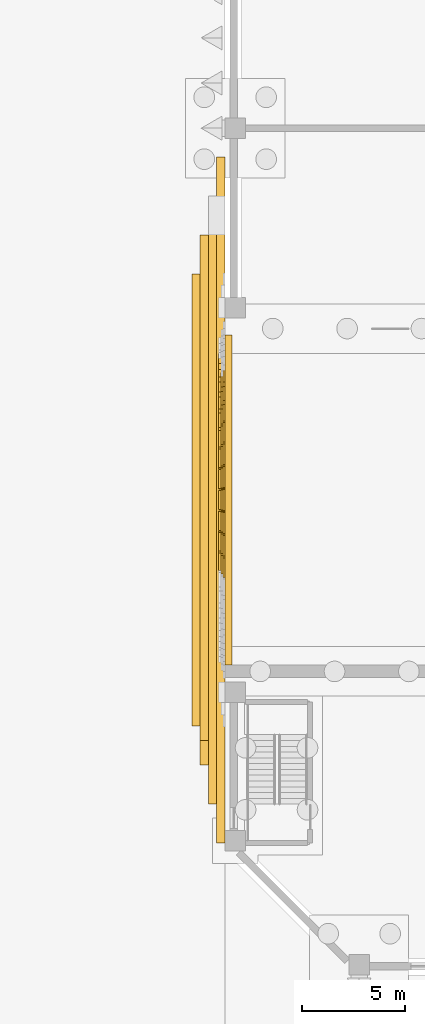
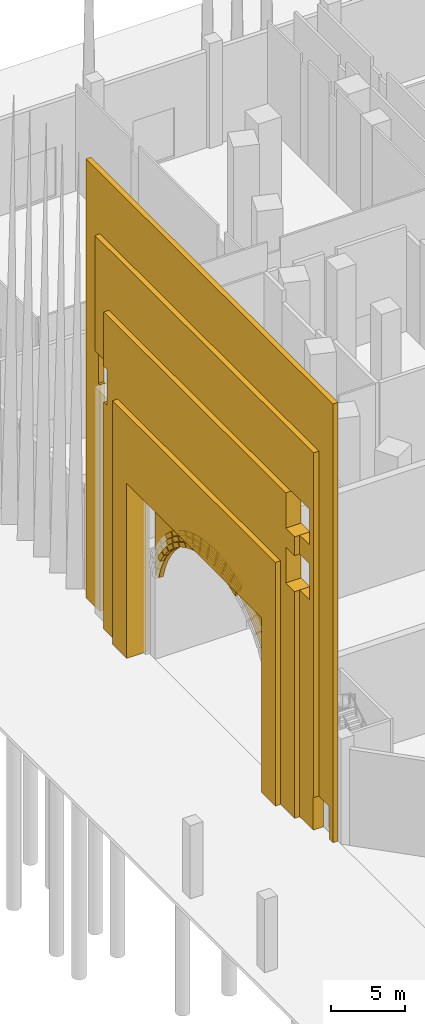
# One storey, part 21 of 32: 37 coverings.
"""IFC4 building model written with IfcOpenShell, lengths in metres."""

from ifc_helpers import new_model, si_unit, direction, frame, origin, place, context, subcontext, project, spatial, polyline, outline, extrude, material, layer, layer_set, type_object, element, save


model = new_model("IFC4")

# Units and contexts
model_context = context("Model", 3, precision=1e-05, world=origin(), true_north=direction((0.0, 1.0)))
body_context = subcontext(model_context, "Body", "Model", "MODEL_VIEW")
ifc_project = project(units=[si_unit("LENGTHUNIT", "METRE"), si_unit("AREAUNIT", "SQUARE_METRE"), si_unit("VOLUMEUNIT", "CUBIC_METRE"), si_unit("PLANEANGLEUNIT", "RADIAN"), si_unit("MASSUNIT", "GRAM", prefix="KILO")], contexts=[model_context])

# Site, building, storey
site_placement = place(None, origin())
site = spatial("IfcSite", under=ifc_project, at=site_placement, CompositionType="ELEMENT")
building_placement = place(site_placement, origin())
building = spatial("IfcBuilding", under=site, at=building_placement, Name="Isthmus Gate Tower", CompositionType="ELEMENT")
storey_placement = place(building_placement, origin())
storey = spatial("IfcBuildingStorey", under=building, at=storey_placement, Name="L00", CompositionType="ELEMENT", Elevation=0.0)

# Coverings
ifc_material_1 = material(Name="Precast concrete C50/60, limestone-faced", Category="masonry")
covering_type_1 = type_object("IfcCoveringType", Name="ARCHIVOLT BAND 350 X 100", PredefinedType="CLADDING", material=ifc_material_1)
covering_1_placement = place(storey_placement, frame((-52.10009765625, -21.743408203125, 13.146484375), z_axis=(-1.0, 0.0, 0.0), x_axis=(0.0, 0.913533755754, 0.40676292493)))
element("IfcCovering", 1, at=covering_1_placement, inside=storey, type_object=covering_type_1, Name="ARCHIVOLT BAND", PredefinedType="CLADDING", context=body_context, shape_type="SweptSolid", body=[
    extrude(outline(polyline([(0.0, 0.0), (0.25388617803024627, 0.0), (0.507990456610219, 0.0073128245677378245), (0.7615444362789336, 0.021863582341143828), (1.0146474243911097, 0.04342924261812953), (0.9798539305578422, 0.3916623377841222), (0.7368394427931839, 0.3708472345119539), (0.49292790206781023, 0.35684841903392667), (0.2490114311900746, 0.3500631207689179), (0.004743276110519612, 0.3500696943054005), (0.0, 0.0)])), origin(), (0.0, 0.0, -1.0), 0.10009765625),
])
covering_2_placement = place(storey_placement, frame((-52.10009765625, -20.70166015625, 13.551025390625), z_axis=(-1.0, 0.0, 0.0), x_axis=(0.0, 0.95724237853, 0.289287104355)))
element("IfcCovering", 2, at=covering_2_placement, inside=storey, type_object=covering_type_1, Name="ARCHIVOLT BAND", PredefinedType="CLADDING", context=body_context, shape_type="SweptSolid", body=[
    extrude(outline(polyline([(0.0, 0.0), (0.25402559263349644, 0.0), (0.5078726239881712, 0.007342364700247073), (0.7616117207984859, 0.021793392348170376), (1.0147048528248372, 0.04344553122741737), (0.9798347211468232, 0.3917568758059789), (0.7367252998334596, 0.370826490532061), (0.49304054047059426, 0.35686351473689604), (0.2490141448107981, 0.3499385751549457), (0.004950441341103562, 0.3498885967681007), (0.0, 0.0)])), origin(), (0.0, 0.0, -1.0), 0.10009765625),
])
covering_3_placement = place(storey_placement, frame((-52.10009765625, -19.617431640625, 13.822021484375), z_axis=(-1.0, 0.0, 0.0), x_axis=(0.0, 0.985922452448, 0.16720322293)))
element("IfcCovering", 3, at=covering_3_placement, inside=storey, type_object=covering_type_1, Name="ARCHIVOLT BAND", PredefinedType="CLADDING", context=body_context, shape_type="SweptSolid", body=[
    extrude(outline(polyline([(0.0, 0.0), (0.25406489184615577, 0.0), (0.5079087867061856, 0.007143692385918721), (0.7617723883038318, 0.021471898257104244), (1.0148927643685193, 0.043102858039254566), (0.9800667361281222, 0.39155035445057995), (0.7367377934105186, 0.37058942374738474), (0.4931878537067889, 0.35677218543010825), (0.2492170343925392, 0.3498171146756601), (0.0050660391915116135, 0.3497650325833884), (0.0, 0.0)])), origin(), (0.0, 0.0, -1.0), 0.10009765625),
])
covering_4_placement = place(storey_placement, frame((-52.10009765625, -18.5078125, 13.95556640625), z_axis=(-1.0, 0.0, 0.0), x_axis=(0.0, 0.999104510294, 0.042310489368)))
element("IfcCovering", 4, at=covering_4_placement, inside=storey, type_object=covering_type_1, Name="ARCHIVOLT BAND", PredefinedType="CLADDING", context=body_context, shape_type="SweptSolid", body=[
    extrude(outline(polyline([(0.0, 0.0), (0.2538894647772129, 0.0), (0.5079672119833631, 0.0070943974065567055), (0.7617350679099657, 0.021506454800617057), (1.0147155182671717, 0.04297159076396107), (0.980176022266482, 0.3911872657131058), (0.7369317924739776, 0.3706231621216591), (0.49316473853029674, 0.35663462280964736), (0.24908779330706812, 0.3499637434851393), (0.004975867931829955, 0.3498890878587028), (0.0, 0.0)])), origin(), (0.0, 0.0, -1.0), 0.10009765625),
])
covering_5_placement = place(storey_placement, frame((-52.10009765625, -17.390380859375, 13.94921875), z_axis=(-1.0, 0.0, 0.0), x_axis=(0.0, 0.996578817559, -0.082647809364)))
element("IfcCovering", 5, at=covering_5_placement, inside=storey, type_object=covering_type_1, Name="ARCHIVOLT BAND", PredefinedType="CLADDING", context=body_context, shape_type="SweptSolid", body=[
    extrude(outline(polyline([(0.0, 0.0), (0.25404295542334143, 0.0), (0.5082046307309092, 0.007339516637084653), (0.7617349321087281, 0.021835777599372094), (1.0148771649321793, 0.04346860519902937), (0.9800481294897949, 0.3915320779468916), (0.7367793554963993, 0.37079528046158206), (0.49310233526080277, 0.35695174423826176), (0.2492603741583861, 0.3499812915890978), (0.005030344501601398, 0.3501474055773036), (0.0, 0.0)])), origin(), (0.0, 0.0, -1.0), 0.10009765625),
])
covering_6_placement = place(storey_placement, frame((-52.10009765625, -16.2822265625, 13.802978515625), z_axis=(-1.0, 0.0, 0.0), x_axis=(0.0, 0.978417014532, -0.206640135682)))
element("IfcCovering", 6, at=covering_6_placement, inside=storey, type_object=covering_type_1, Name="ARCHIVOLT BAND", PredefinedType="CLADDING", context=body_context, shape_type="SweptSolid", body=[
    extrude(outline(polyline([(0.0, 0.0), (0.25401761473754997, 6.938893903907228e-18), (0.5080650297308589, 0.007229964412967346), (0.7616140530451745, 0.02155192040121462), (1.0147151339323723, 0.04320473930618024), (0.979958649810032, 0.39139796702503715), (0.7367789422614388, 0.3706440833941882), (0.49305039378197685, 0.3567433199971805), (0.2490623249649599, 0.3498840989235773), (0.005053607151826484, 0.35001597092150305), (0.0, 0.0)])), origin(), (0.0, 0.0, -1.0), 0.10009765625),
])
covering_7_placement = place(storey_placement, frame((-52.10009765625, -15.201171875, 13.51953125), z_axis=(-1.0, 0.0, 0.0), x_axis=(0.0, 0.944768759097, -0.32773768754)))
element("IfcCovering", 7, at=covering_7_placement, inside=storey, type_object=covering_type_1, Name="ARCHIVOLT BAND", PredefinedType="CLADDING", context=body_context, shape_type="SweptSolid", body=[
    extrude(outline(polyline([(0.0, 0.0), (0.25402007852627445, -1.3877787807814457e-17), (0.5078939729638323, 0.0070278645925348215), (0.7617016973965458, 0.02131425021293093), (1.0146712684345636, 0.04286854267747836), (0.9802250880049048, 0.39127168587963795), (0.7368393739805926, 0.37052738936091645), (0.4932274617836918, 0.35658030099940335), (0.24900805262742148, 0.3498211053981694), (0.005103772253087557, 0.349929746221726), (0.0, 0.0)])), origin(), (0.0, 0.0, -1.0), 0.10009765625),
])
covering_8_placement = place(storey_placement, frame((-52.10009765625, -14.164306640625, 13.10302734375), z_axis=(-1.0, 0.0, 0.0), x_axis=(0.0, 0.896531205027, -0.442980584692)))
element("IfcCovering", 8, at=covering_8_placement, inside=storey, type_object=covering_type_1, Name="ARCHIVOLT BAND", PredefinedType="CLADDING", context=body_context, shape_type="SweptSolid", body=[
    extrude(outline(polyline([(0.0, 0.0), (0.2540716952716217, 1.3877787807814457e-17), (0.5081098430668362, 0.00709681614542973), (0.761676684008189, 0.021506747549908112), (1.0149910977844074, 0.0431216446566256), (0.9801523954320589, 0.391473009324069), (0.7369887911430177, 0.37056120163548145), (0.49324573044330544, 0.3567436295172155), (0.24914209302164933, 0.34991214341246146), (0.005115638255503624, 0.3498504442076006), (0.0, 0.0)])), origin(), (0.0, 0.0, -1.0), 0.10009765625),
])
covering_9_placement = place(storey_placement, frame((-52.10009765625, -13.187255859375, 12.56005859375), z_axis=(-1.0, 0.0, 0.0), x_axis=(0.0, 0.834114264555, -0.551591691077)))
element("IfcCovering", 9, at=covering_9_placement, inside=storey, type_object=covering_type_1, Name="ARCHIVOLT BAND", PredefinedType="CLADDING", context=body_context, shape_type="SweptSolid", body=[
    extrude(outline(polyline([(0.0, 0.0), (0.2540587920684315, 0.0), (0.5078876666779776, 0.007176709252353225), (0.7616212897688425, 0.021733768934929676), (1.0146520223425433, 0.04319492145432374), (0.9799016406995696, 0.39165125307087056), (0.7366194083826123, 0.37076817873381707), (0.4929725926665651, 0.35685817247124685), (0.2489611935514282, 0.3499212342831599), (0.004923518155275752, 0.35002633940722183), (0.0, 0.0)])), origin(), (0.0, 0.0, -1.0), 0.10009765625),
])
covering_10_placement = place(storey_placement, frame((-52.10009765625, -12.2861328125, 11.8994140625), z_axis=(-1.0, 0.0, 0.0), x_axis=(0.0, 0.758849624726, -0.651265880461)))
element("IfcCovering", 10, at=covering_10_placement, inside=storey, type_object=covering_type_1, Name="ARCHIVOLT BAND", PredefinedType="CLADDING", context=body_context, shape_type="SweptSolid", body=[
    extrude(outline(polyline([(0.0, 0.0), (0.25416246838046713, 0.0), (0.5082766268869313, 0.007441127680157866), (0.7616802081204401, 0.021926585434585644), (1.0148764790208489, 0.0436679048475096), (0.9799808030420436, 0.3921237428352215), (0.7367682600836354, 0.3711441247366736), (0.49303040587393343, 0.35704983625329867), (0.24892624087203458, 0.3500261434067582), (0.004985297580359177, 0.34994031130052), (0.0, 0.0)])), origin(), (0.0, 0.0, -1.0), 0.10009765625),
])
ifc_material_2 = material(Name="Precast concrete C50/60, limestone-faced", Category="masonry")
covering_type_2 = type_object("IfcCoveringType", Name="ARCHIVOLT BAND 350 X 200", PredefinedType="CLADDING", material=ifc_material_2)
covering_11_placement = place(storey_placement, frame((-52.199951171875, -21.57763671875, 12.79345703125), z_axis=(-1.0, 0.0, 0.0), x_axis=(0.0, 0.913894814233, 0.405951066654)))
element("IfcCovering", 11, at=covering_11_placement, inside=storey, type_object=covering_type_2, Name="ARCHIVOLT BAND", PredefinedType="CLADDING", context=body_context, shape_type="SweptSolid", body=[
    extrude(outline(polyline([(0.0, 0.0), (0.24176443742090467, 0.0), (0.48350545352594476, 0.0066681718967348536), (0.7249008203168568, 0.020128525394203456), (0.9658514286465084, 0.040604179343536995), (0.9313673624084746, 0.38886805194261065), (0.700406808185659, 0.36935710966673163), (0.4687534760935853, 0.3562170118461906), (0.2369776135385146, 0.34996820477351553), (0.005054319963580495, 0.3500653415993119), (0.0, 0.0)])), origin(), (0.0, 0.0, -1.0), 0.199951171875),
])
covering_12_placement = place(storey_placement, frame((-52.199951171875, -20.581298828125, 13.179931640625), z_axis=(-1.0, 0.0, 0.0), x_axis=(0.0, 0.957100791727, 0.289755197495)))
element("IfcCovering", 12, at=covering_12_placement, inside=storey, type_object=covering_type_2, Name="ARCHIVOLT BAND", PredefinedType="CLADDING", context=body_context, shape_type="SweptSolid", body=[
    extrude(outline(polyline([(0.0, 0.0), (0.24181916314412888, 0.0), (0.4835269153517207, 0.007108609313554309), (0.7249603304523089, 0.021021419740169217), (0.9658857412604133, 0.04166769026483119), (0.9308452763289224, 0.3899619403792314), (0.6999032220751485, 0.37004230578578856), (0.4684531635288908, 0.35685613129039273), (0.23656584170516273, 0.35016974970756376), (0.004779331989938226, 0.3498909758818484), (0.0, 0.0)])), origin(), (0.0, 0.0, -1.0), 0.199951171875),
])
covering_13_placement = place(storey_placement, frame((-52.199951171875, -19.54443359375, 13.43896484375), z_axis=(-1.0, 0.0, 0.0), x_axis=(0.0, 0.985842492245, 0.167674030443)))
element("IfcCovering", 13, at=covering_13_placement, inside=storey, type_object=covering_type_2, Name="ARCHIVOLT BAND", PredefinedType="CLADDING", context=body_context, shape_type="SweptSolid", body=[
    extrude(outline(polyline([(0.0, 0.0), (0.24170316442486464, 6.938893903907228e-18), (0.4834226046256983, 0.0071845220769794355), (0.7249995084854702, 0.021031261783933358), (0.9659115715571752, 0.04169903123789251), (0.9309600824717613, 0.3898891725692222), (0.6997981956161479, 0.37013679221218576), (0.4682940242598531, 0.356765009240327), (0.23664731656249657, 0.3500554438984428), (0.004617388321870079, 0.3499671601439443), (0.0, 0.0)])), origin(), (0.0, 0.0, -1.0), 0.199951171875),
])
covering_14_placement = place(storey_placement, frame((-52.199951171875, -18.4833984375, 13.56640625), z_axis=(-1.0, 0.0, 0.0), x_axis=(0.0, 0.99910130476, 0.04238611596)))
element("IfcCovering", 14, at=covering_14_placement, inside=storey, type_object=covering_type_2, Name="ARCHIVOLT BAND", PredefinedType="CLADDING", context=body_context, shape_type="SweptSolid", body=[
    extrude(outline(polyline([(0.0, 0.0), (0.2419166280720367, 1.734723475976807e-18), (0.48354350730450635, 0.006829794075510315), (0.7248806376974087, 0.02048938222653094), (0.9659280192507442, 0.04097876445306188), (0.9313518171658718, 0.3894357451718416), (0.7002948573359776, 0.36961455924880215), (0.46870422744953394, 0.35661281922843135), (0.23684454506920644, 0.3499530308496058), (0.004939035066294362, 0.35013338471913225), (0.0, 0.0)])), origin(), (0.0, 0.0, -1.0), 0.199951171875),
])
covering_15_placement = place(storey_placement, frame((-52.199951171875, -17.414794921875, 13.559814453125), z_axis=(-1.0, 0.0, 0.0), x_axis=(0.0, 0.996566616907, -0.08279479492)))
element("IfcCovering", 15, at=covering_15_placement, inside=storey, type_object=covering_type_2, Name="ARCHIVOLT BAND", PredefinedType="CLADDING", context=body_context, shape_type="SweptSolid", body=[
    extrude(outline(polyline([(0.0, 0.0), (0.24179697853295692, 0.0), (0.48367333231590304, 0.006852894253722069), (0.7251222429824479, 0.020355807510417538), (0.9659408352818429, 0.04101555813647677), (0.9314266524348505, 0.3893072528932373), (0.7002383486178354, 0.36956228969795374), (0.46886590408112494, 0.35644713193266486), (0.23706601642801328, 0.3499819931703495), (0.005061774482227662, 0.34990335744132295), (0.0, 0.0)])), origin(), (0.0, 0.0, -1.0), 0.199951171875),
])
covering_16_placement = place(storey_placement, frame((-52.199951171875, -16.355224609375, 13.419921875), z_axis=(-1.0, 0.0, 0.0), x_axis=(0.0, 0.978345771582, -0.206977175619)))
element("IfcCovering", 16, at=covering_16_placement, inside=storey, type_object=covering_type_2, Name="ARCHIVOLT BAND", PredefinedType="CLADDING", context=body_context, shape_type="SweptSolid", body=[
    extrude(outline(polyline([(0.0, 0.0), (0.24180844083619446, 0.0), (0.48354810948298627, 0.006752245821883163), (0.7249801519922354, 0.020307269002665718), (0.9659162459528177, 0.040954455027504166), (0.9312797120241594, 0.38915963525208264), (0.7003158320222566, 0.3696468206094333), (0.46870440886063813, 0.35650960696641926), (0.23697368197260096, 0.34988578519714814), (0.005174182895161153, 0.3500142092497601), (0.0, 0.0)])), origin(), (0.0, 0.0, -1.0), 0.199951171875),
])
covering_17_placement = place(storey_placement, frame((-52.199951171875, -15.321533203125, 13.1484375), z_axis=(-1.0, 0.0, 0.0), x_axis=(0.0, 0.94498607344, -0.327110563883)))
element("IfcCovering", 17, at=covering_17_placement, inside=storey, type_object=covering_type_2, Name="ARCHIVOLT BAND", PredefinedType="CLADDING", context=body_context, shape_type="SweptSolid", body=[
    extrude(outline(polyline([(0.0, 0.0), (0.24181903990191103, 0.0), (0.4834872312907466, 0.0070277660209273896), (0.7249247131889962, 0.020852588572196212), (0.9658209151285632, 0.04132361914073096), (0.9311435040050982, 0.3897038233675374), (0.7000613288573818, 0.3699692884804887), (0.4685887222640583, 0.35657039114260947), (0.23665469668956285, 0.35004841131258213), (0.004871519628142848, 0.3499330565672891), (0.0, 0.0)])), origin(), (0.0, 0.0, -1.0), 0.199951171875),
])
covering_18_placement = place(storey_placement, frame((-52.199951171875, -14.329833984375, 12.75), z_axis=(-1.0, 0.0, 0.0), x_axis=(0.0, 0.89643707834, -0.443171033098)))
element("IfcCovering", 18, at=covering_18_placement, inside=storey, type_object=covering_type_2, Name="ARCHIVOLT BAND", PredefinedType="CLADDING", context=body_context, shape_type="SweptSolid", body=[
    extrude(outline(polyline([(0.0, 0.0), (0.2418428244863256, 1.3877787807814457e-17), (0.4835454130861856, 0.0068779664035096555), (0.7249995697465774, 0.020415042501949865), (0.9658757771033454, 0.04104647710990472), (0.9313299357428573, 0.38929703897097023), (0.7001669735908307, 0.36958292944109117), (0.468755579499336, 0.35652792960614277), (0.23698755741537064, 0.34991318275754585), (0.004971103391937126, 0.3499575456038794), (0.0, 0.0)])), origin(), (0.0, 0.0, -1.0), 0.199951171875),
])
covering_19_placement = place(storey_placement, frame((-52.199951171875, -13.395751953125, 12.23046875), z_axis=(-1.0, 0.0, 0.0), x_axis=(0.0, 0.834219174646, -0.551433013749)))
element("IfcCovering", 19, at=covering_19_placement, inside=storey, type_object=covering_type_2, Name="ARCHIVOLT BAND", PredefinedType="CLADDING", context=body_context, shape_type="SweptSolid", body=[
    extrude(outline(polyline([(0.0, 0.0), (0.24173522064571967, -1.3877787807814457e-17), (0.4834428254554142, 0.007042038186400673), (0.724853560027839, 0.020718780977831808), (0.965898384772931, 0.04136852236560096), (0.9309470923036629, 0.38961457058063115), (0.6999199120766761, 0.36995209533075935), (0.4684612344117971, 0.356720657895233), (0.23657105930902583, 0.349920258274052), (0.004722307960292271, 0.3498236028479641), (0.0, 0.0)])), origin(), (0.0, 0.0, -1.0), 0.199951171875),
])
covering_20_placement = place(storey_placement, frame((-52.199951171875, -12.5341796875, 11.598388671875), z_axis=(-1.0, 0.0, 0.0), x_axis=(0.0, 0.758614497772, -0.651539748419)))
element("IfcCovering", 20, at=covering_20_placement, inside=storey, type_object=covering_type_2, Name="ARCHIVOLT BAND", PredefinedType="CLADDING", context=body_context, shape_type="SweptSolid", body=[
    extrude(outline(polyline([(0.0, 0.0), (0.24169009413016285, 0.0), (0.48354591421377535, 0.006937801372687791), (0.7250641169904346, 0.02060205420421468), (0.9658742852249004, 0.041310893137363414), (0.9311305296089825, 0.38943502824654863), (0.7001191549882307, 0.3696433542254227), (0.46877016306052577, 0.35657813166313584), (0.2367654191830847, 0.3498689433244478), (0.004767333937701818, 0.34991234774082747), (0.0, 0.0)])), origin(), (0.0, 0.0, -1.0), 0.199951171875),
])
ifc_material_3 = material(Name="Precast concrete C50/60, limestone-faced", Category="masonry")
covering_type_3 = type_object("IfcCoveringType", Name="ARCHIVOLT BAND 350 X 300", PredefinedType="CLADDING", material=ifc_material_3)
covering_21_placement = place(storey_placement, frame((-52.300048828125, -21.411865234375, 12.4404296875), z_axis=(-1.0, 0.0, 0.0), x_axis=(0.0, 0.913723798939, 0.406335845395)))
element("IfcCovering", 21, at=covering_21_placement, inside=storey, type_object=covering_type_3, Name="ARCHIVOLT BAND", PredefinedType="CLADDING", context=body_context, shape_type="SweptSolid", body=[
    extrude(outline(polyline([(0.0, 0.0), (0.22951880767317112, 1.3877787807814457e-17), (0.458788309158477, 0.006568958356303584), (0.6881307846425226, 0.01958300105681518), (0.9168770028272571, 0.03874451883977059), (0.8824693728805592, 0.38709304340734596), (0.6635889276927003, 0.368578163549166), (0.44411222520553045, 0.35621075877342995), (0.22458462270500476, 0.34996615815529686), (0.004906917103868563, 0.3500674387941171), (0.0, 0.0)])), origin(), (0.0, 0.0, -1.0), 0.300048828125),
])
covering_22_placement = place(storey_placement, frame((-52.300048828125, -20.461181640625, 12.80908203125), z_axis=(-1.0, 0.0, 0.0), x_axis=(0.0, 0.957621274161, 0.288030372139)))
element("IfcCovering", 22, at=covering_22_placement, inside=storey, type_object=covering_type_3, Name="ARCHIVOLT BAND", PredefinedType="CLADDING", context=body_context, shape_type="SweptSolid", body=[
    extrude(outline(polyline([(0.0, 0.0), (0.22970532198940524, 1.3877787807814457e-17), (0.4590554116403048, 0.006266775900111113), (0.6882840632090855, 0.018870647615406327), (0.9170871625242873, 0.037975089487199576), (0.8829080510356272, 0.3864022246988159), (0.6640896012115592, 0.368006431122464), (0.44468212479259855, 0.3558070935311501), (0.22491941603513219, 0.34987453183994727), (0.00533938336700697, 0.35011559162261474), (0.0, 0.0)])), origin(), (0.0, 0.0, -1.0), 0.300048828125),
])
covering_23_placement = place(storey_placement, frame((-52.300048828125, -19.471435546875, 13.055908203125), z_axis=(-1.0, 0.0, 0.0), x_axis=(0.0, 0.985959340889, 0.166985562589)))
element("IfcCovering", 23, at=covering_23_placement, inside=storey, type_object=covering_type_3, Name="ARCHIVOLT BAND", PredefinedType="CLADDING", context=body_context, shape_type="SweptSolid", body=[
    extrude(outline(polyline([(0.0, 0.0), (0.22954127010030298, 0.0), (0.45898542416941795, 0.006421602810907603), (0.6880509815180194, 0.019464753202815807), (0.9167787101057233, 0.03888873844601526), (0.8823110880955557, 0.387143969932355), (0.6635748853047827, 0.36866933284429826), (0.4440601962533101, 0.3562532819585907), (0.22448915913026588, 0.3500181211540815), (0.004861773935649953, 0.3499638504307705), (0.0, 0.0)])), origin(), (0.0, 0.0, -1.0), 0.300048828125),
])
covering_24_placement = place(storey_placement, frame((-52.300048828125, -18.458984375, 13.177001953125), z_axis=(-1.0, 0.0, 0.0), x_axis=(0.0, 0.999095840683, 0.042514716625)))
element("IfcCovering", 24, at=covering_24_placement, inside=storey, type_object=covering_type_3, Name="ARCHIVOLT BAND", PredefinedType="CLADDING", context=body_context, shape_type="SweptSolid", body=[
    extrude(outline(polyline([(0.0, 0.0), (0.22969987278006007, -1.734723475976807e-18), (0.4591194971839312, 0.006585836840440491), (0.6882692527811018, 0.0195135906383422), (0.9171387600020835, 0.0390271812766844), (0.8825280855427473, 0.38723578869146363), (0.663638534384939, 0.3686356001681077), (0.4442455741069395, 0.35612302914974514), (0.22458274502223946, 0.34995237508884386), (0.004904346583306749, 0.349890097671913), (0.0, 0.0)])), origin(), (0.0, 0.0, -1.0), 0.300048828125),
])
covering_25_placement = place(storey_placement, frame((-52.300048828125, -17.43896484375, 13.170654296875), z_axis=(-1.0, 0.0, 0.0), x_axis=(0.0, 0.996553089235, -0.082957461004)))
element("IfcCovering", 25, at=covering_25_placement, inside=storey, type_object=covering_type_3, Name="ARCHIVOLT BAND", PredefinedType="CLADDING", context=body_context, shape_type="SweptSolid", body=[
    extrude(outline(polyline([(0.0, 0.0), (0.22955100746374085, 3.469446951953614e-18), (0.4588987030911505, 0.0063865363044728896), (0.6880633401686067, 0.01940290800747018), (0.9167813663156804, 0.03882606930131818), (0.8823240347490653, 0.3871233930858119), (0.663479745368697, 0.3685931939952116), (0.44416859177156837, 0.3562264854014106), (0.2243905739576791, 0.35002326730440875), (0.004875589209183906, 0.34992277984507264), (0.0, 0.0)])), origin(), (0.0, 0.0, -1.0), 0.300048828125),
])
covering_26_placement = place(storey_placement, frame((-52.300048828125, -16.427978515625, 13.036865234375), z_axis=(-1.0, 0.0, 0.0), x_axis=(0.0, 0.978266816532, -0.207350031765)))
element("IfcCovering", 26, at=covering_26_placement, inside=storey, type_object=covering_type_3, Name="ARCHIVOLT BAND", PredefinedType="CLADDING", context=body_context, shape_type="SweptSolid", body=[
    extrude(outline(polyline([(0.0, 0.0), (0.2295992986824543, 0.0), (0.45908177605794975, 0.006513436870218256), (0.6881579748881326, 0.019352098504998777), (0.9170667298450078, 0.03846536233799275), (0.8826135303937915, 0.38692255276397336), (0.6638150105469462, 0.3684115676690785), (0.4443207549164348, 0.3560375952330899), (0.2246590554126156, 0.3499382249953148), (0.005068746707493493, 0.3500628343894043), (0.0, 0.0)])), origin(), (0.0, 0.0, -1.0), 0.300048828125),
])
covering_27_placement = place(storey_placement, frame((-52.300048828125, -15.441650390625, 12.777587890625), z_axis=(-1.0, 0.0, 0.0), x_axis=(0.0, 0.944453743444, -0.328644376942)))
element("IfcCovering", 27, at=covering_27_placement, inside=storey, type_object=covering_type_3, Name="ARCHIVOLT BAND", PredefinedType="CLADDING", context=body_context, shape_type="SweptSolid", body=[
    extrude(outline(polyline([(0.0, 0.0), (0.22954737222970928, -1.3877787807814457e-17), (0.459175758887897, 0.006175792201704028), (0.6881934213929395, 0.01876808293587981), (0.9169111747156337, 0.03792721628614604), (0.8827994264168674, 0.3863632623079931), (0.663896882698294, 0.3679246899802517), (0.44461419435378335, 0.3558223807413927), (0.22487112593974595, 0.34982575506420843), (0.0052090719541870445, 0.3500049215887281), (0.0, 0.0)])), origin(), (0.0, 0.0, -1.0), 0.300048828125),
])
covering_28_placement = place(storey_placement, frame((-52.300048828125, -14.49560546875, 12.39697265625), z_axis=(-1.0, 0.0, 0.0), x_axis=(0.0, 0.896332878436, -0.443381744137)))
element("IfcCovering", 28, at=covering_28_placement, inside=storey, type_object=covering_type_3, Name="ARCHIVOLT BAND", PredefinedType="CLADDING", context=body_context, shape_type="SweptSolid", body=[
    extrude(outline(polyline([(0.0, 0.0), (0.2296139657780739, 0.0), (0.45919989623340973, 0.006550920413114503), (0.6883224651046036, 0.01932334619717191), (0.9171981673839098, 0.03875493989047113), (0.8827341893902838, 0.38701361273682916), (0.6637907789498817, 0.3683888133312127), (0.4444922544214648, 0.3562043505656885), (0.22484095208192803, 0.34991431440583043), (0.005053366923525898, 0.34995636738993746), (0.0, 0.0)])), origin(), (0.0, 0.0, -1.0), 0.300048828125),
])
covering_29_placement = place(storey_placement, frame((-52.300048828125, -13.6044921875, 11.90087890625), z_axis=(-1.0, 0.0, 0.0), x_axis=(0.0, 0.834169459764, -0.551508216073)))
element("IfcCovering", 29, at=covering_29_placement, inside=storey, type_object=covering_type_3, Name="ARCHIVOLT BAND", PredefinedType="CLADDING", context=body_context, shape_type="SweptSolid", body=[
    extrude(outline(polyline([(0.0, 0.0), (0.22974994874441013, 0.0), (0.45906897980847705, 0.006431076687555104), (0.688430038966593, 0.019565893808626056), (0.9170218802305383, 0.0390627785245542), (0.8824402823758029, 0.3873809852639067), (0.6635278743771238, 0.3688014545020386), (0.4441189122302346, 0.35611104556063533), (0.22461733261682976, 0.34992072239948513), (0.0047538444157795845, 0.34982317571206245), (0.0, 0.0)])), origin(), (0.0, 0.0, -1.0), 0.300048828125),
])
covering_30_placement = place(storey_placement, frame((-52.300048828125, -12.7822265625, 11.297607421875), z_axis=(-1.0, 0.0, 0.0), x_axis=(0.0, 0.758279825449, -0.651929218794)))
element("IfcCovering", 30, at=covering_30_placement, inside=storey, type_object=covering_type_3, Name="ARCHIVOLT BAND", PredefinedType="CLADDING", context=body_context, shape_type="SweptSolid", body=[
    extrude(outline(polyline([(0.0, 0.0), (0.22956204264299515, 0.0), (0.4591601759459635, 0.006408299128045358), (0.6882649836809529, 0.01935809528749033), (0.9170615927584735, 0.03869022607140288), (0.882655769422449, 0.3870172834648785), (0.6636584236402392, 0.3685972856916553), (0.44437884370413805, 0.35621533322545756), (0.2246319027036359, 0.35003058847321733), (0.005106179273616951, 0.3500949804420904), (0.0, 0.0)])), origin(), (0.0, 0.0, -1.0), 0.300048828125),
])
covering_31_placement = place(storey_placement, frame((-52.300048828125, -12.0419921875, 10.595947265625), z_axis=(-1.0, 0.0, 0.0), x_axis=(0.0, 0.67113609418, -0.741334164253)))
element("IfcCovering", 31, at=covering_31_placement, inside=storey, type_object=covering_type_3, Name="ARCHIVOLT BAND", PredefinedType="CLADDING", context=body_context, shape_type="SweptSolid", body=[
    extrude(outline(polyline([(0.0, 0.0), (0.22954023142382263, -1.3877787807814457e-17), (0.45906124728928316, 0.006569124262768927), (0.6882182062246938, 0.019724510989008126), (0.9169939700293532, 0.0391213188070299), (0.8822763897934474, 0.3874040931295707), (0.663388588784344, 0.36872579139246764), (0.44411959264448964, 0.35628891074714714), (0.22446940137388385, 0.3500934511936092), (0.004782856344214631, 0.35012227453115236), (0.0, 0.0)])), origin(), (0.0, 0.0, -1.0), 0.300048828125),
])
covering_32_placement = place(storey_placement, frame((-52.300048828125, -11.395263671875, 9.807373046875), z_axis=(-1.0, 0.0, 0.0), x_axis=(0.0, 0.57224814533, -0.820080520538)))
element("IfcCovering", 32, at=covering_32_placement, inside=storey, type_object=covering_type_3, Name="ARCHIVOLT BAND", PredefinedType="CLADDING", context=body_context, shape_type="SweptSolid", body=[
    extrude(outline(polyline([(0.0, 0.0), (0.22952919519594045, 1.3877787807814457e-17), (0.4589275105665883, 0.0061604406655088595), (0.688255452062922, 0.018821245987217128), (0.9170333866743954, 0.03824313688693781), (0.8827478064094006, 0.38644787334914066), (0.66397179114509, 0.3680512077475454), (0.44438504807410584, 0.3559359947134161), (0.22500734916851955, 0.34992071639381706), (0.005158846446950166, 0.35012638469070545), (0.0, 0.0)])), origin(), (0.0, 0.0, -1.0), 0.300048828125),
])
ifc_material_4 = material(Name="Aluminium composite panel, pale champagne anodised", Category="aluminium")
ifc_layer = layer(ifc_material_4, 0.35009765625)
ifc_layer_set = layer_set([ifc_layer], Name="PORTAL SPANDREL PANEL 350")
covering_type_4 = type_object("IfcCoveringType", Name="PORTAL SPANDREL PANEL 350", PredefinedType="CLADDING", material=ifc_layer_set)
covering_33_placement = place(storey_placement, frame((-52.0, -26.0, 7.0), z_axis=(-1.0, 0.0, 0.0), x_axis=(0.0, 0.0, 1.0)))
element("IfcCovering", 33, at=covering_33_placement, inside=storey, type_object=covering_type_4, Name="PORTAL SPANDREL PANEL", PredefinedType="CLADDING", context=body_context, shape_type="SweptSolid", body=[
    extrude(outline(polyline([(0.0, 0.0), (6.39990234375, 0.0), (6.39990234375, 16.0), (0.0, 16.0), (0.0, 15.5), (0.8095703125, 15.241455078125), (1.585693359375, 14.89599609375), (2.319580078125, 14.467529296875), (3.001953125, 13.961181640625), (3.625, 13.38330078125), (4.180908203125, 12.740478515625), (4.6630859375, 12.040771484375), (5.065673828125, 11.29248046875), (5.384033203125, 10.504638671875), (5.6142578125, 9.686767578125), (5.75341796875, 8.848388671875), (5.800048828125, 8.0), (5.75341796875, 7.151611328125), (5.6142578125, 6.313232421875), (5.384033203125, 5.495361328125), (5.065673828125, 4.70751953125), (4.6630859375, 3.959228515625), (4.180908203125, 3.259521484375), (3.625, 2.61669921875), (3.001953125, 2.038818359375), (2.319580078125, 1.532470703125), (1.585693359375, 1.10400390625), (0.8095703125, 0.758544921875), (0.0, 0.5), (0.0, 0.0)])), origin(), (0.0, 0.0, -1.0), 0.35009765625),
])
ifc_material_5 = material(Name="Precast concrete C50/60, limestone-faced", Category="masonry")
covering_type_5 = type_object("IfcCoveringType", Name="PORTAL SURROUND BAND 1887 X 1600", PredefinedType="CLADDING", material=ifc_material_5)
covering_34_placement = place(storey_placement, frame((-53.60009765625, -28.9375, 20.0), z_axis=(-1.0, 0.0, 0.0), x_axis=(0.0, 1.0, 0.0)))
element("IfcCovering", 34, at=covering_34_placement, inside=storey, type_object=covering_type_5, Name="PORTAL SURROUND BAND", PredefinedType="CLADDING", context=body_context, shape_type="SweptSolid", body=[
    extrude(outline(polyline([(0.0, 0.0), (21.875, 0.0), (21.875, 20.0), (19.987548828125, 20.0), (19.987548828125, 5.64990234375), (1.887451171875, 5.64990234375), (1.887451171875, 20.0), (0.0, 20.0), (0.0, 0.0)])), origin(), (0.0, 0.0, -1.0), 1.60009765625),
])
ifc_material_6 = material(Name="Precast concrete C50/60, limestone-faced", Category="masonry")
covering_type_6 = type_object("IfcCoveringType", Name="PORTAL SURROUND BAND 1887 X 400", PredefinedType="CLADDING", material=ifc_material_6)
covering_35_placement = place(storey_placement, frame((-52.39990234375, -34.60009765625, 36.0), z_axis=(-1.0, 0.0, 0.0), x_axis=(0.0, 1.0, 0.0)))
element("IfcCovering", 35, at=covering_35_placement, inside=storey, type_object=covering_type_6, Name="PORTAL SURROUND BAND", PredefinedType="CLADDING", context=body_context, shape_type="SweptSolid", body=[
    extrude(outline(polyline([(0.0, 0.0), (33.2001953125, 0.0), (33.2001953125, 36.0), (31.3125, 36.0), (31.3125, 17.39990234375), (31.5, 17.39990234375), (31.5, 14.449951171875), (31.3125, 14.449951171875), (31.3125, 5.0), (1.8876953125, 5.0), (1.8876953125, 33.300048828125), (0.4501953125, 33.300048828125), (0.4501953125, 36.0), (0.0, 36.0), (0.0, 0.0)])), origin(), (0.0, 0.0, -1.0), 0.39990234375),
])
ifc_material_7 = material(Name="Precast concrete C50/60, limestone-faced", Category="masonry")
covering_type_7 = type_object("IfcCoveringType", Name="PORTAL SURROUND BAND 1888 X 1200", PredefinedType="CLADDING", material=ifc_material_7)
covering_36_placement = place(storey_placement, frame((-53.199951171875, -30.824951171875, 18.60009765625), z_axis=(-1.0, 0.0, 0.0), x_axis=(0.0, 1.0, 0.0)))
element("IfcCovering", 36, at=covering_36_placement, inside=storey, type_object=covering_type_7, Name="PORTAL SURROUND BAND", PredefinedType="CLADDING", context=body_context, shape_type="SweptSolid", body=[
    extrude(outline(polyline([(0.0, 0.0), (1.175048828125, 0.0), (1.175048828125, -2.949951171875), (0.0, -2.949951171875), (0.0, -4.5), (1.175048828125, -4.5), (1.175048828125, -7.39990234375), (25.64990234375, -7.39990234375), (25.64990234375, -2.949951171875), (25.224853515625, -2.949951171875), (25.224853515625, 0.0), (25.64990234375, 0.0), (25.64990234375, 18.60009765625), (23.762451171875, 18.60009765625), (23.762451171875, -1.39990234375), (1.887451171875, -1.39990234375), (1.887451171875, 18.60009765625), (0.0, 18.60009765625), (0.0, 0.0)])), origin(), (0.0, 0.0, -1.0), 1.199951171875),
])
ifc_material_8 = material(Name="Precast concrete C50/60, limestone-faced", Category="masonry")
covering_type_8 = type_object("IfcCoveringType", Name="PORTAL SURROUND BAND 1888 X 800", PredefinedType="CLADDING", material=ifc_material_8)
covering_37_placement = place(storey_placement, frame((-52.800048828125, -32.71240234375, 31.0), z_axis=(-1.0, 0.0, 0.0), x_axis=(0.0, 1.0, 0.0)))
element("IfcCovering", 37, at=covering_37_placement, inside=storey, type_object=covering_type_8, Name="PORTAL SURROUND BAND", PredefinedType="CLADDING", context=body_context, shape_type="SweptSolid", body=[
    extrude(outline(polyline([(0.0, 0.0), (29.4248046875, 0.0), (29.4248046875, 9.449951171875), (27.537353515625, 9.449951171875), (27.537353515625, 5.0), (3.0625, 5.0), (3.0625, 4.949951171875), (0.5625, 4.949951171875), (0.5625, 7.89990234375), (1.887451171875, 7.89990234375), (1.887451171875, 9.449951171875), (0.5625, 9.449951171875), (0.5625, 12.39990234375), (1.887451171875, 12.39990234375), (1.887451171875, 31.0), (0.0625, 31.0), (0.0625, 28.300048828125), (0.0, 28.300048828125), (0.0, 0.0)])), origin(), (0.0, 0.0, -1.0), 0.800048828125),
])

save(model, "model.ifc")
